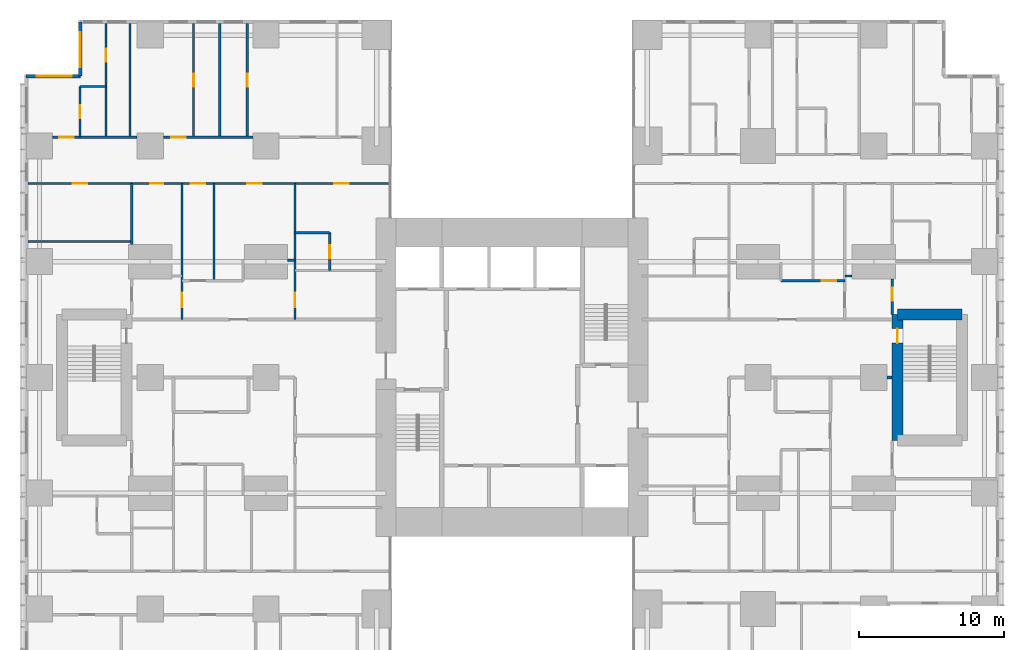
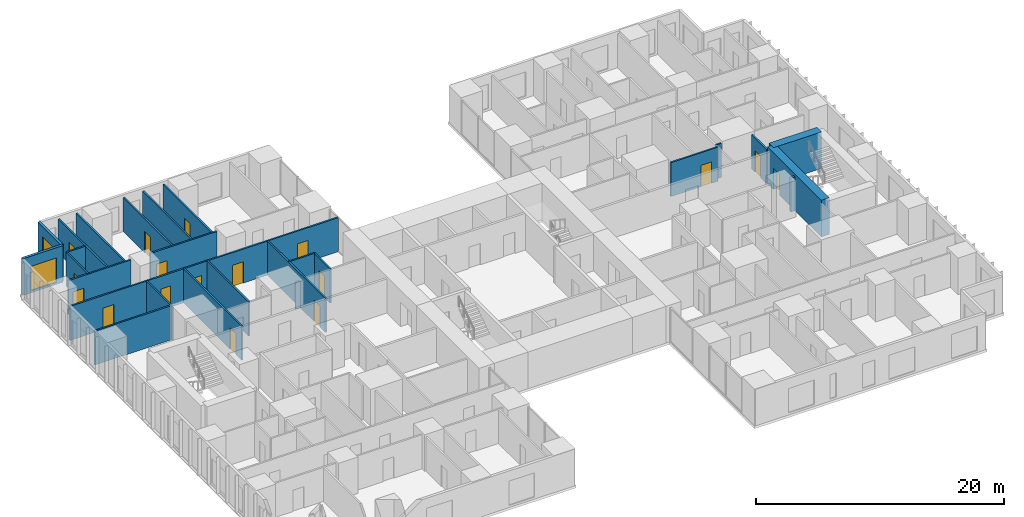
# One storey, part 16 of 20: 26 walls, 17 doors, 2 windows, 19 openings.
"""IFC4 building model written with IfcOpenShell, lengths in metres."""

from ifc_helpers import new_model, si_unit, direction, frame, frame_2d, origin, place, context, subcontext, project, spatial, rectangle, extrude, material, layer, layer_set, type_object, element, fill, save


model = new_model("IFC4")

# Units and contexts
model_context = context("Model", 3, precision=1e-05, world=origin(), true_north=direction((0.0, 1.0)))
body_context = subcontext(model_context, "Body", "Model", "MODEL_VIEW")
ifc_project = project(units=[si_unit("LENGTHUNIT", "METRE"), si_unit("AREAUNIT", "SQUARE_METRE"), si_unit("VOLUMEUNIT", "CUBIC_METRE"), si_unit("PLANEANGLEUNIT", "RADIAN"), si_unit("MASSUNIT", "GRAM", prefix="KILO")], contexts=[model_context])

# Site, building, storey
site_placement = place(None, origin())
site = spatial("IfcSite", under=ifc_project, at=site_placement, CompositionType="ELEMENT")
building_placement = place(site_placement, origin())
building = spatial("IfcBuilding", under=site, at=building_placement, Name="Cleftline Residences", CompositionType="ELEMENT")
storey_placement = place(building_placement, frame((0.0, 0.0, 193.0)))
storey = spatial("IfcBuildingStorey", under=building, at=storey_placement, Name="L50", CompositionType="ELEMENT", Elevation=193.0)

# Wall, opening, window
ifc_material_1 = material(Name="Rendered reinforced concrete blockwork", Category="masonry")
ifc_layer_1 = layer(ifc_material_1, 0.25)
ifc_layer_set_1 = layer_set([ifc_layer_1], Name="EXTERNAL WALL 250")
wall_type_1 = type_object("IfcWallType", Name="EXTERNAL WALL 250", PredefinedType="SOLIDWALL", material=ifc_layer_set_1)
wall_1_placement = place(storey_placement, frame((3.175048828125, 48.574951171875, 0.0), z_axis=(0.0, 0.0, 1.0), x_axis=(0.0, -1.0, 0.0)))
wall_1 = element("IfcWall", 1, at=wall_1_placement, inside=storey, type_object=wall_type_1, Name="External wall", PredefinedType="SOLIDWALL", context=body_context, shape_type="SweptSolid", body=[
    extrude(rectangle(XDim=3.75, YDim=0.25, at=frame_2d((1.875, 0.0))), origin(), (0.0, 0.0, 1.0), 3.60009765625),
])
opening_1_placement = place(wall_1_placement, frame((0.737548828125, 0.0, 0.199951171875)))
opening_1 = element("IfcOpeningElement", 2, at=opening_1_placement, cuts=wall_1, Name="Opening W9", PredefinedType="OPENING", context=body_context, shape_type="SweptSolid", body=[
    extrude(rectangle(XDim=2.39990234375, YDim=2.39990234375, at=frame_2d((1.199951171875, 1.199951171875))), frame((0.0, 0.135009765625, 0.0), z_axis=(0.0, -1.0, 0.0), x_axis=(1.0, 0.0, 0.0)), (0.0, 0.0, 1.0), 0.27001953125),
])
ifc_material_2 = material(Name="Aluminium frame, clear double glazing", Category="aluminium")
window_type = type_object("IfcWindowType", Name="WINDOW 2400X2400", PartitioningType="DOUBLE_PANEL_VERTICAL", PredefinedType="WINDOW", material=ifc_material_2)
window_1_placement = place(opening_1_placement, origin())
window_1 = element("IfcWindow", 3, at=window_1_placement, inside=storey, type_object=window_type, Name="Window", OverallHeight=2.39990234375, OverallWidth=2.39990234375, PartitioningType="SINGLE_PANEL", PredefinedType="WINDOW", context=body_context, shape_type="SweptSolid", body=[
    extrude(rectangle(XDim=2.39990234375, YDim=2.39990234375, at=frame_2d((1.199951171875, 1.199951171875))), frame((0.0, 0.030029296875, 0.0), z_axis=(0.0, -1.0, 0.0), x_axis=(1.0, 0.0, 0.0)), (0.0, 0.0, 1.0), 0.06005859375),
])
fill(opening_1, window_1)

wall_2_placement = place(storey_placement, frame((3.175048828125, 44.824951171875, 0.0), z_axis=(0.0, 0.0, 1.0), x_axis=(-1.0, 0.0, 0.0)))
wall_2 = element("IfcWall", 4, at=wall_2_placement, inside=storey, type_object=wall_type_1, Name="External wall", PredefinedType="SOLIDWALL", context=body_context, shape_type="SweptSolid", body=[
    extrude(rectangle(XDim=3.75, YDim=0.25, at=frame_2d((1.875, 0.0))), origin(), (0.0, 0.0, 1.0), 3.60009765625),
])
opening_2_placement = place(wall_2_placement, frame((0.612548828125, 0.0, 0.199951171875)))
opening_2 = element("IfcOpeningElement", 5, at=opening_2_placement, cuts=wall_2, Name="Opening W9", PredefinedType="OPENING", context=body_context, shape_type="SweptSolid", body=[
    extrude(rectangle(XDim=2.39990234375, YDim=2.39990234375, at=frame_2d((1.199951171875, 1.199951171875))), frame((0.0, 0.135009765625, 0.0), z_axis=(0.0, -1.0, 0.0), x_axis=(1.0, 0.0, 0.0)), (0.0, 0.0, 1.0), 0.27001953125),
])
window_2_placement = place(opening_2_placement, origin())
window_2 = element("IfcWindow", 6, at=window_2_placement, inside=storey, type_object=window_type, Name="Window", OverallHeight=2.39990234375, OverallWidth=2.39990234375, PartitioningType="SINGLE_PANEL", PredefinedType="WINDOW", context=body_context, shape_type="SweptSolid", body=[
    extrude(rectangle(XDim=2.39990234375, YDim=2.39990234375, at=frame_2d((1.199951171875, 1.199951171875))), frame((0.0, 0.030029296875, 0.0), z_axis=(0.0, -1.0, 0.0), x_axis=(1.0, 0.0, 0.0)), (0.0, 0.0, 1.0), 0.06005859375),
])
fill(opening_2, window_2)

# Wall
ifc_material_3 = material(Name="Concrete blockwork, fire rated", Category="masonry")
ifc_layer_2 = layer(ifc_material_3, 0.199951171875)
ifc_layer_set_2 = layer_set([ifc_layer_2], Name="FIRE WALL 200")
wall_type_2 = type_object("IfcWallType", Name="FIRE WALL 200", PredefinedType="PARTITIONING", material=ifc_layer_set_2)
wall_3_placement = place(storey_placement, frame((58.89990234375, 24.0, 0.0), z_axis=(0.0, 0.0, 1.0), x_axis=(1.0, 0.0, 0.0)))
element("IfcWall", 7, at=wall_3_placement, inside=storey, type_object=wall_type_2, Name="Fire separating wall", PredefinedType="PARTITIONING", context=body_context, shape_type="SweptSolid", body=[
    extrude(rectangle(XDim=0.375, YDim=0.199951171875, at=frame_2d((0.1875, 0.0))), origin(), (0.0, 0.0, 1.0), 3.35009765625),
])

# Wall, opening, door
ifc_material_4 = material(Name="Gypsum board on steel studs", Category="steel")
ifc_layer_3 = layer(ifc_material_4, 0.14990234375)
ifc_layer_set_3 = layer_set([ifc_layer_3], Name="PARTITION 150")
wall_type_3 = type_object("IfcWallType", Name="PARTITION 150", PredefinedType="PARTITIONING", material=ifc_layer_set_3)
wall_4_placement = place(storey_placement, frame((51.60009765625, 30.675048828125, 0.0), z_axis=(0.0, 0.0, 1.0), x_axis=(1.0, 0.0, 0.0)))
wall_4 = element("IfcWall", 8, at=wall_4_placement, inside=storey, type_object=wall_type_3, Name="Partition", PredefinedType="PARTITIONING", context=body_context, shape_type="SweptSolid", body=[
    extrude(rectangle(XDim=4.39990234375, YDim=0.14990234375, at=frame_2d((2.199951171875, 0.0))), origin(), (0.0, 0.0, 1.0), 3.35009765625),
])
opening_3_placement = place(wall_4_placement, frame((2.800048828125, 0.0, 0.0)))
opening_3 = element("IfcOpeningElement", 9, at=opening_3_placement, cuts=wall_4, Name="Opening D2", PredefinedType="OPENING", context=body_context, shape_type="SweptSolid", body=[
    extrude(rectangle(XDim=1.0, YDim=2.10009765625, at=frame_2d((0.5, 1.050048828125))), frame((0.0, 0.0849609375, 0.0), z_axis=(0.0, -1.0, 0.0), x_axis=(1.0, 0.0, 0.0)), (0.0, 0.0, 1.0), 0.169921875),
])
ifc_material_5 = material(Name="Timber veneer on solid core", Category="wood")
door_type_1 = type_object("IfcDoorType", Name="DOOR 1000X2100", OperationType="SINGLE_SWING_LEFT", PredefinedType="DOOR", material=ifc_material_5)
door_1_placement = place(opening_3_placement, origin())
door_1 = element("IfcDoor", 10, at=door_1_placement, inside=storey, type_object=door_type_1, Name="Door to residence passage", OperationType="SINGLE_SWING_LEFT", OverallHeight=2.10009765625, OverallWidth=1.0, PredefinedType="DOOR", context=body_context, shape_type="SweptSolid", body=[
    extrude(rectangle(XDim=1.0, YDim=2.10009765625, at=frame_2d((0.5, 1.050048828125))), frame((0.0, 0.02490234375, 0.0), z_axis=(0.0, -1.0, 0.0), x_axis=(1.0, 0.0, 0.0)), (0.0, 0.0, 1.0), 0.050048828125),
])
fill(opening_3, door_1)

# Walls
wall_5_placement = place(storey_placement, frame((56.0, 31.0, 0.0), z_axis=(0.0, 0.0, 1.0), x_axis=(1.0, 0.0, 0.0)))
element("IfcWall", 11, at=wall_5_placement, inside=storey, type_object=wall_type_3, Name="Partition", PredefinedType="PARTITIONING", context=body_context, shape_type="SweptSolid", body=[
    extrude(rectangle(XDim=0.5, YDim=0.14990234375, at=frame_2d((0.25, 0.0))), origin(), (0.0, 0.0, 1.0), 3.35009765625),
])
wall_6_placement = place(storey_placement, frame((17.5, 32.10009765625, 0.0), z_axis=(0.0, 0.0, 1.0), x_axis=(1.0, 0.0, 0.0)))
element("IfcWall", 12, at=wall_6_placement, inside=storey, type_object=wall_type_3, Name="Partition", PredefinedType="PARTITIONING", context=body_context, shape_type="SweptSolid", body=[
    extrude(rectangle(XDim=0.5, YDim=0.14990234375, at=frame_2d((0.25, 0.0))), origin(), (0.0, 0.0, 1.0), 2.634033203125),
])
wall_7_placement = place(storey_placement, frame((-0.449951171875, 33.39990234375, 0.0), z_axis=(0.0, 0.0, 1.0), x_axis=(1.0, 0.0, 0.0)))
element("IfcWall", 13, at=wall_7_placement, inside=storey, type_object=wall_type_3, Name="Partition", PredefinedType="PARTITIONING", context=body_context, shape_type="SweptSolid", body=[
    extrude(rectangle(XDim=7.175048828125, YDim=0.14990234375, at=frame_2d((3.58740234375, 0.0))), origin(), (0.0, 0.0, 1.0), 3.35009765625),
])
wall_8_placement = place(storey_placement, frame((18.0, 34.0, 0.0), z_axis=(0.0, 0.0, 1.0), x_axis=(1.0, 0.0, 0.0)))
element("IfcWall", 14, at=wall_8_placement, inside=storey, type_object=wall_type_3, Name="Partition", PredefinedType="PARTITIONING", context=body_context, shape_type="SweptSolid", body=[
    extrude(rectangle(XDim=2.39990234375, YDim=0.14990234375, at=frame_2d((1.199951171875, 0.0))), origin(), (0.0, 0.0, 1.0), 3.35009765625),
])

# Wall, openings, doors
wall_9_placement = place(storey_placement, frame((-0.449951171875, 37.39990234375, 0.0), z_axis=(0.0, 0.0, 1.0), x_axis=(1.0, 0.0, 0.0)))
wall_9 = element("IfcWall", 15, at=wall_9_placement, inside=storey, type_object=wall_type_3, Name="Partition", PredefinedType="PARTITIONING", context=body_context, shape_type="SweptSolid", body=[
    extrude(rectangle(XDim=25.010986328125, YDim=0.14990234375, at=frame_2d((12.50537109375, 0.0))), origin(), (0.0, 0.0, 1.0), 3.35009765625),
])
opening_4_placement = place(wall_9_placement, frame((11.25, 0.0, 0.0)))
opening_4 = element("IfcOpeningElement", 16, at=opening_4_placement, cuts=wall_9, Name="Opening D2", PredefinedType="OPENING", context=body_context, shape_type="SweptSolid", body=[
    extrude(rectangle(XDim=1.0, YDim=2.10009765625, at=frame_2d((0.5, 1.050048828125))), frame((0.0, 0.0849609375, 0.0), z_axis=(0.0, -1.0, 0.0), x_axis=(1.0, 0.0, 0.0)), (0.0, 0.0, 1.0), 0.169921875),
])
opening_5_placement = place(wall_9_placement, frame((3.08740234375, 0.0, 0.0)))
opening_5 = element("IfcOpeningElement", 17, at=opening_5_placement, cuts=wall_9, Name="Opening D2", PredefinedType="OPENING", context=body_context, shape_type="SweptSolid", body=[
    extrude(rectangle(XDim=1.0, YDim=2.10009765625, at=frame_2d((0.5, 1.050048828125))), frame((0.0, 0.0849609375, 0.0), z_axis=(0.0, -1.0, 0.0), x_axis=(1.0, 0.0, 0.0)), (0.0, 0.0, 1.0), 0.169921875),
])
opening_6_placement = place(wall_9_placement, frame((8.46240234375, 0.0, 0.0)))
opening_6 = element("IfcOpeningElement", 18, at=opening_6_placement, cuts=wall_9, Name="Opening D1", PredefinedType="OPENING", context=body_context, shape_type="SweptSolid", body=[
    extrude(rectangle(XDim=0.89990234375, YDim=2.10009765625, at=frame_2d((0.449951171875, 1.050048828125))), frame((0.0, 0.0849609375, 0.0), z_axis=(0.0, -1.0, 0.0), x_axis=(1.0, 0.0, 0.0)), (0.0, 0.0, 1.0), 0.169921875),
])
opening_7_placement = place(wall_9_placement, frame((15.14990234375, 0.0, 0.0)))
opening_7 = element("IfcOpeningElement", 19, at=opening_7_placement, cuts=wall_9, Name="Opening D2", PredefinedType="OPENING", context=body_context, shape_type="SweptSolid", body=[
    extrude(rectangle(XDim=1.0, YDim=2.10009765625, at=frame_2d((0.5, 1.050048828125))), frame((0.0, 0.0849609375, 0.0), z_axis=(0.0, -1.0, 0.0), x_axis=(1.0, 0.0, 0.0)), (0.0, 0.0, 1.0), 0.169921875),
])
opening_8_placement = place(wall_9_placement, frame((21.175048828125, 0.0, 0.0)))
opening_8 = element("IfcOpeningElement", 20, at=opening_8_placement, cuts=wall_9, Name="Opening D2", PredefinedType="OPENING", context=body_context, shape_type="SweptSolid", body=[
    extrude(rectangle(XDim=1.0, YDim=2.10009765625, at=frame_2d((0.5, 1.050048828125))), frame((0.0, 0.0849609375, 0.0), z_axis=(0.0, -1.0, 0.0), x_axis=(1.0, 0.0, 0.0)), (0.0, 0.0, 1.0), 0.169921875),
])
door_2_placement = place(opening_4_placement, origin())
door_2 = element("IfcDoor", 21, at=door_2_placement, inside=storey, type_object=door_type_1, Name="Door to residence hall", OperationType="SINGLE_SWING_RIGHT", OverallHeight=2.10009765625, OverallWidth=1.0, PredefinedType="DOOR", context=body_context, shape_type="SweptSolid", body=[
    extrude(rectangle(XDim=1.0, YDim=2.10009765625, at=frame_2d((0.5, 1.050048828125))), frame((0.0, 0.02490234375, 0.0), z_axis=(0.0, -1.0, 0.0), x_axis=(1.0, 0.0, 0.0)), (0.0, 0.0, 1.0), 0.050048828125),
])
fill(opening_4, door_2)
door_3_placement = place(opening_5_placement, origin())
door_3 = element("IfcDoor", 22, at=door_3_placement, inside=storey, type_object=door_type_1, Name="Door to study", OperationType="SINGLE_SWING_RIGHT", OverallHeight=2.10009765625, OverallWidth=1.0, PredefinedType="DOOR", context=body_context, shape_type="SweptSolid", body=[
    extrude(rectangle(XDim=1.0, YDim=2.10009765625, at=frame_2d((0.5, 1.050048828125))), frame((0.0, 0.02490234375, 0.0), z_axis=(0.0, -1.0, 0.0), x_axis=(1.0, 0.0, 0.0)), (0.0, 0.0, 1.0), 0.050048828125),
])
fill(opening_5, door_3)
door_4_placement = place(opening_7_placement, origin())
door_4 = element("IfcDoor", 23, at=door_4_placement, inside=storey, type_object=door_type_1, Name="Door to media room", OperationType="SINGLE_SWING_LEFT", OverallHeight=2.10009765625, OverallWidth=1.0, PredefinedType="DOOR", context=body_context, shape_type="SweptSolid", body=[
    extrude(rectangle(XDim=1.0, YDim=2.10009765625, at=frame_2d((0.5, 1.050048828125))), frame((0.0, 0.02490234375, 0.0), z_axis=(0.0, -1.0, 0.0), x_axis=(1.0, 0.0, 0.0)), (0.0, 0.0, 1.0), 0.050048828125),
])
fill(opening_7, door_4)
door_5_placement = place(opening_8_placement, origin())
door_5 = element("IfcDoor", 24, at=door_5_placement, inside=storey, type_object=door_type_1, Name="Door to bedroom 4", OperationType="SINGLE_SWING_LEFT", OverallHeight=2.10009765625, OverallWidth=1.0, PredefinedType="DOOR", context=body_context, shape_type="SweptSolid", body=[
    extrude(rectangle(XDim=1.0, YDim=2.10009765625, at=frame_2d((0.5, 1.050048828125))), frame((0.0, 0.02490234375, 0.0), z_axis=(0.0, -1.0, 0.0), x_axis=(1.0, 0.0, 0.0)), (0.0, 0.0, 1.0), 0.050048828125),
])
fill(opening_8, door_5)
ifc_material_6 = material(Name="Timber veneer on solid core", Category="wood")
door_type_2 = type_object("IfcDoorType", Name="DOOR 900X2100", OperationType="SINGLE_SWING_LEFT", PredefinedType="DOOR", material=ifc_material_6)
door_6_placement = place(opening_6_placement, origin())
door_6 = element("IfcDoor", 25, at=door_6_placement, inside=storey, type_object=door_type_2, Name="Door to guest bathroom", OperationType="SINGLE_SWING_RIGHT", OverallHeight=2.10009765625, OverallWidth=0.89990234375, PredefinedType="DOOR", context=body_context, shape_type="SweptSolid", body=[
    extrude(rectangle(XDim=0.89990234375, YDim=2.10009765625, at=frame_2d((0.449951171875, 1.050048828125))), frame((0.0, 0.02490234375, 0.0), z_axis=(0.0, -1.0, 0.0), x_axis=(1.0, 0.0, 0.0)), (0.0, 0.0, 1.0), 0.050048828125),
])
fill(opening_6, door_6)

# Wall, opening, door
wall_10_placement = place(storey_placement, frame((1.25, 40.60009765625, 0.0), z_axis=(0.0, 0.0, 1.0), x_axis=(1.0, 0.0, 0.0)))
wall_10 = element("IfcWall", 26, at=wall_10_placement, inside=storey, type_object=wall_type_3, Name="Partition", PredefinedType="PARTITIONING", context=body_context, shape_type="SweptSolid", body=[
    extrude(rectangle(XDim=5.85009765625, YDim=0.14990234375, at=frame_2d((2.925048828125, 0.0))), origin(), (0.0, 0.0, 1.0), 3.35009765625),
])
opening_9_placement = place(wall_10_placement, frame((0.449951171875, 0.0, 0.0)))
opening_9 = element("IfcOpeningElement", 27, at=opening_9_placement, cuts=wall_10, Name="Opening D2", PredefinedType="OPENING", context=body_context, shape_type="SweptSolid", body=[
    extrude(rectangle(XDim=1.0, YDim=2.10009765625, at=frame_2d((0.5, 1.050048828125))), frame((0.0, 0.0849609375, 0.0), z_axis=(0.0, -1.0, 0.0), x_axis=(1.0, 0.0, 0.0)), (0.0, 0.0, 1.0), 0.169921875),
])
door_7_placement = place(opening_9_placement, origin())
door_7 = element("IfcDoor", 28, at=door_7_placement, inside=storey, type_object=door_type_1, Name="Door to bedroom 2", OperationType="SINGLE_SWING_RIGHT", OverallHeight=2.10009765625, OverallWidth=1.0, PredefinedType="DOOR", context=body_context, shape_type="SweptSolid", body=[
    extrude(rectangle(XDim=1.0, YDim=2.10009765625, at=frame_2d((0.5, 1.050048828125))), frame((0.0, 0.02490234375, 0.0), z_axis=(0.0, -1.0, 0.0), x_axis=(1.0, 0.0, 0.0)), (0.0, 0.0, 1.0), 0.050048828125),
])
fill(opening_9, door_7)

wall_11_placement = place(storey_placement, frame((8.89990234375, 40.60009765625, 0.0), z_axis=(0.0, 0.0, 1.0), x_axis=(1.0, 0.0, 0.0)))
wall_11 = element("IfcWall", 29, at=wall_11_placement, inside=storey, type_object=wall_type_3, Name="Partition", PredefinedType="PARTITIONING", context=body_context, shape_type="SweptSolid", body=[
    extrude(rectangle(XDim=6.2001953125, YDim=0.14990234375, at=frame_2d((3.10009765625, 0.0))), origin(), (0.0, 0.0, 1.0), 3.35009765625),
])
opening_10_placement = place(wall_11_placement, frame((0.550048828125, 0.0, 0.0)))
opening_10 = element("IfcOpeningElement", 30, at=opening_10_placement, cuts=wall_11, Name="Opening D2", PredefinedType="OPENING", context=body_context, shape_type="SweptSolid", body=[
    extrude(rectangle(XDim=1.0, YDim=2.10009765625, at=frame_2d((0.5, 1.050048828125))), frame((0.0, 0.0849609375, 0.0), z_axis=(0.0, -1.0, 0.0), x_axis=(1.0, 0.0, 0.0)), (0.0, 0.0, 1.0), 0.169921875),
])
door_8_placement = place(opening_10_placement, origin())
door_8 = element("IfcDoor", 31, at=door_8_placement, inside=storey, type_object=door_type_1, Name="Door to bedroom 3", OperationType="SINGLE_SWING_RIGHT", OverallHeight=2.10009765625, OverallWidth=1.0, PredefinedType="DOOR", context=body_context, shape_type="SweptSolid", body=[
    extrude(rectangle(XDim=1.0, YDim=2.10009765625, at=frame_2d((0.5, 1.050048828125))), frame((0.0, 0.02490234375, 0.0), z_axis=(0.0, -1.0, 0.0), x_axis=(1.0, 0.0, 0.0)), (0.0, 0.0, 1.0), 0.050048828125),
])
fill(opening_10, door_8)

# Wall
wall_12_placement = place(storey_placement, frame((3.14990234375, 44.10009765625, 0.0), z_axis=(0.0, 0.0, 1.0), x_axis=(1.0, 0.0, 0.0)))
element("IfcWall", 32, at=wall_12_placement, inside=storey, type_object=wall_type_3, Name="Partition", PredefinedType="PARTITIONING", context=body_context, shape_type="SweptSolid", body=[
    extrude(rectangle(XDim=1.800048828125, YDim=0.14990234375, at=frame_2d((0.89990234375, 0.0))), origin(), (0.0, 0.0, 1.0), 3.35009765625),
])

# Wall, opening, door
wall_13_placement = place(storey_placement, frame((3.14990234375, 40.60009765625, 0.0), z_axis=(0.0, 0.0, 1.0), x_axis=(0.0, 1.0, 0.0)))
wall_13 = element("IfcWall", 33, at=wall_13_placement, inside=storey, type_object=wall_type_3, Name="Partition", PredefinedType="PARTITIONING", context=body_context, shape_type="SweptSolid", body=[
    extrude(rectangle(XDim=3.5, YDim=0.14990234375, at=frame_2d((1.75, 0.0))), origin(), (0.0, 0.0, 1.0), 3.35009765625),
])
opening_11_placement = place(wall_13_placement, frame((1.300048828125, 0.0, 0.0)))
opening_11 = element("IfcOpeningElement", 34, at=opening_11_placement, cuts=wall_13, Name="Opening D1", PredefinedType="OPENING", context=body_context, shape_type="SweptSolid", body=[
    extrude(rectangle(XDim=0.89990234375, YDim=2.10009765625, at=frame_2d((0.449951171875, 1.050048828125))), frame((0.0, 0.0849609375, 0.0), z_axis=(0.0, -1.0, 0.0), x_axis=(1.0, 0.0, 0.0)), (0.0, 0.0, 1.0), 0.169921875),
])
door_9_placement = place(opening_11_placement, origin())
door_9 = element("IfcDoor", 35, at=door_9_placement, inside=storey, type_object=door_type_2, Name="Door to en-suite bathroom 2", OperationType="SINGLE_SWING_LEFT", OverallHeight=2.10009765625, OverallWidth=0.89990234375, PredefinedType="DOOR", context=body_context, shape_type="SweptSolid", body=[
    extrude(rectangle(XDim=0.89990234375, YDim=2.10009765625, at=frame_2d((0.449951171875, 1.050048828125))), frame((0.0, 0.02490234375, 0.0), z_axis=(0.0, -1.0, 0.0), x_axis=(1.0, 0.0, 0.0)), (0.0, 0.0, 1.0), 0.050048828125),
])
fill(opening_11, door_9)

wall_14_placement = place(storey_placement, frame((4.949951171875, 40.60009765625, 0.0), z_axis=(0.0, 0.0, 1.0), x_axis=(0.0, 1.0, 0.0)))
wall_14 = element("IfcWall", 36, at=wall_14_placement, inside=storey, type_object=wall_type_3, Name="Partition", PredefinedType="PARTITIONING", context=body_context, shape_type="SweptSolid", body=[
    extrude(rectangle(XDim=7.849853515625, YDim=0.14990234375, at=frame_2d((3.9248046875, 0.0))), origin(), (0.0, 0.0, 1.0), 3.35009765625),
])
opening_12_placement = place(wall_14_placement, frame((5.22509765625, 0.0, 0.0)))
opening_12 = element("IfcOpeningElement", 37, at=opening_12_placement, cuts=wall_14, Name="Opening D1", PredefinedType="OPENING", context=body_context, shape_type="SweptSolid", body=[
    extrude(rectangle(XDim=0.89990234375, YDim=2.10009765625, at=frame_2d((0.449951171875, 1.050048828125))), frame((0.0, 0.0849609375, 0.0), z_axis=(0.0, -1.0, 0.0), x_axis=(1.0, 0.0, 0.0)), (0.0, 0.0, 1.0), 0.169921875),
])
door_10_placement = place(opening_12_placement, origin())
door_10 = element("IfcDoor", 38, at=door_10_placement, inside=storey, type_object=door_type_2, Name="Door to walk-in wardrobe", OperationType="SINGLE_SWING_LEFT", OverallHeight=2.10009765625, OverallWidth=0.89990234375, PredefinedType="DOOR", context=body_context, shape_type="SweptSolid", body=[
    extrude(rectangle(XDim=0.89990234375, YDim=2.10009765625, at=frame_2d((0.449951171875, 1.050048828125))), frame((0.0, 0.02490234375, 0.0), z_axis=(0.0, -1.0, 0.0), x_axis=(1.0, 0.0, 0.0)), (0.0, 0.0, 1.0), 0.050048828125),
])
fill(opening_12, door_10)

# Walls
wall_15_placement = place(storey_placement, frame((6.60009765625, 40.60009765625, 0.0), z_axis=(0.0, 0.0, 1.0), x_axis=(0.0, 1.0, 0.0)))
element("IfcWall", 39, at=wall_15_placement, inside=storey, type_object=wall_type_3, Name="Partition", PredefinedType="PARTITIONING", context=body_context, shape_type="SweptSolid", body=[
    extrude(rectangle(XDim=7.849853515625, YDim=0.14990234375, at=frame_2d((3.9248046875, 0.0))), origin(), (0.0, 0.0, 1.0), 3.35009765625),
])
wall_16_placement = place(storey_placement, frame((6.72509765625, 33.199951171875, 0.0), z_axis=(0.0, 0.0, 1.0), x_axis=(0.0, 1.0, 0.0)))
element("IfcWall", 40, at=wall_16_placement, inside=storey, type_object=wall_type_3, Name="Partition", PredefinedType="PARTITIONING", context=body_context, shape_type="SweptSolid", body=[
    extrude(rectangle(XDim=4.199951171875, YDim=0.14990234375, at=frame_2d((2.10009765625, 0.0))), origin(), (0.0, 0.0, 1.0), 3.35009765625),
])

# Wall, opening, door
wall_17_placement = place(storey_placement, frame((10.199951171875, 28.0, 0.0), z_axis=(0.0, 0.0, 1.0), x_axis=(0.0, 1.0, 0.0)))
wall_17 = element("IfcWall", 41, at=wall_17_placement, inside=storey, type_object=wall_type_3, Name="Partition", PredefinedType="PARTITIONING", context=body_context, shape_type="SweptSolid", body=[
    extrude(rectangle(XDim=9.39990234375, YDim=0.14990234375, at=frame_2d((4.699951171875, 0.0))), origin(), (0.0, 0.0, 1.0), 3.35009765625),
])
opening_13_placement = place(wall_17_placement, frame((0.83740234375, 0.0, 0.0)))
opening_13 = element("IfcOpeningElement", 42, at=opening_13_placement, cuts=wall_17, Name="Opening D2F30", PredefinedType="OPENING", context=body_context, shape_type="SweptSolid", body=[
    extrude(rectangle(XDim=1.0, YDim=2.10009765625, at=frame_2d((0.5, 1.050048828125))), frame((0.0, 0.0849609375, 0.0), z_axis=(0.0, -1.0, 0.0), x_axis=(1.0, 0.0, 0.0)), (0.0, 0.0, 1.0), 0.169921875),
])
ifc_material_7 = material(Name="Timber veneer on solid core", Category="wood")
door_type_3 = type_object("IfcDoorType", Name="DOOR 1000X2100 EI 30", OperationType="SINGLE_SWING_LEFT", PredefinedType="DOOR", material=ifc_material_7)
door_11_placement = place(opening_13_placement, origin())
door_11 = element("IfcDoor", 43, at=door_11_placement, inside=storey, type_object=door_type_3, Name="Door to residence lobby (service)", OperationType="SINGLE_SWING_RIGHT", OverallHeight=2.10009765625, OverallWidth=1.0, PredefinedType="DOOR", context=body_context, shape_type="SweptSolid", body=[
    extrude(rectangle(XDim=1.0, YDim=2.10009765625, at=frame_2d((0.5, 1.050048828125))), frame((0.0, 0.02490234375, 0.0), z_axis=(0.0, -1.0, 0.0), x_axis=(1.0, 0.0, 0.0)), (0.0, 0.0, 1.0), 0.050048828125),
])
fill(opening_13, door_11)

wall_18_placement = place(storey_placement, frame((11.0, 40.60009765625, 0.0), z_axis=(0.0, 0.0, 1.0), x_axis=(0.0, 1.0, 0.0)))
wall_18 = element("IfcWall", 44, at=wall_18_placement, inside=storey, type_object=wall_type_3, Name="Partition", PredefinedType="PARTITIONING", context=body_context, shape_type="SweptSolid", body=[
    extrude(rectangle(XDim=7.849853515625, YDim=0.14990234375, at=frame_2d((3.9248046875, 0.0))), origin(), (0.0, 0.0, 1.0), 3.35009765625),
])
opening_14_placement = place(wall_18_placement, frame((3.47509765625, 0.0, 0.0)))
opening_14 = element("IfcOpeningElement", 45, at=opening_14_placement, cuts=wall_18, Name="Opening D1", PredefinedType="OPENING", context=body_context, shape_type="SweptSolid", body=[
    extrude(rectangle(XDim=0.89990234375, YDim=2.10009765625, at=frame_2d((0.449951171875, 1.050048828125))), frame((0.0, 0.0849609375, 0.0), z_axis=(0.0, -1.0, 0.0), x_axis=(1.0, 0.0, 0.0)), (0.0, 0.0, 1.0), 0.169921875),
])
door_12_placement = place(opening_14_placement, origin())
door_12 = element("IfcDoor", 46, at=door_12_placement, inside=storey, type_object=door_type_2, Name="Door to en-suite bathroom 3", OperationType="SINGLE_SWING_LEFT", OverallHeight=2.10009765625, OverallWidth=0.89990234375, PredefinedType="DOOR", context=body_context, shape_type="SweptSolid", body=[
    extrude(rectangle(XDim=0.89990234375, YDim=2.10009765625, at=frame_2d((0.449951171875, 1.050048828125))), frame((0.0, 0.02490234375, 0.0), z_axis=(0.0, -1.0, 0.0), x_axis=(1.0, 0.0, 0.0)), (0.0, 0.0, 1.0), 0.050048828125),
])
fill(opening_14, door_12)

# Walls
wall_19_placement = place(storey_placement, frame((12.39990234375, 30.675048828125, 0.0), z_axis=(0.0, 0.0, 1.0), x_axis=(0.0, 1.0, 0.0)))
element("IfcWall", 47, at=wall_19_placement, inside=storey, type_object=wall_type_3, Name="Partition", PredefinedType="PARTITIONING", context=body_context, shape_type="SweptSolid", body=[
    extrude(rectangle(XDim=6.724853515625, YDim=0.14990234375, at=frame_2d((3.3623046875, 0.0))), origin(), (0.0, 0.0, 1.0), 3.35009765625),
])
wall_20_placement = place(storey_placement, frame((12.800048828125, 40.60009765625, 0.0), z_axis=(0.0, 0.0, 1.0), x_axis=(0.0, 1.0, 0.0)))
element("IfcWall", 48, at=wall_20_placement, inside=storey, type_object=wall_type_3, Name="Partition", PredefinedType="PARTITIONING", context=body_context, shape_type="SweptSolid", body=[
    extrude(rectangle(XDim=7.849853515625, YDim=0.14990234375, at=frame_2d((3.9248046875, 0.0))), origin(), (0.0, 0.0, 1.0), 3.35009765625),
])

# Wall, opening, door
wall_21_placement = place(storey_placement, frame((14.699951171875, 40.60009765625, 0.0), z_axis=(0.0, 0.0, 1.0), x_axis=(0.0, 1.0, 0.0)))
wall_21 = element("IfcWall", 49, at=wall_21_placement, inside=storey, type_object=wall_type_3, Name="Partition", PredefinedType="PARTITIONING", context=body_context, shape_type="SweptSolid", body=[
    extrude(rectangle(XDim=7.849853515625, YDim=0.14990234375, at=frame_2d((3.9248046875, 0.0))), origin(), (0.0, 0.0, 1.0), 3.35009765625),
])
opening_15_placement = place(wall_21_placement, frame((3.47509765625, 0.0, 0.0)))
opening_15 = element("IfcOpeningElement", 50, at=opening_15_placement, cuts=wall_21, Name="Opening D1", PredefinedType="OPENING", context=body_context, shape_type="SweptSolid", body=[
    extrude(rectangle(XDim=0.89990234375, YDim=2.10009765625, at=frame_2d((0.449951171875, 1.050048828125))), frame((0.0, 0.0849609375, 0.0), z_axis=(0.0, -1.0, 0.0), x_axis=(1.0, 0.0, 0.0)), (0.0, 0.0, 1.0), 0.169921875),
])
door_13_placement = place(opening_15_placement, origin())
door_13 = element("IfcDoor", 51, at=door_13_placement, inside=storey, type_object=door_type_2, Name="Door to master bathroom", OperationType="SINGLE_SWING_LEFT", OverallHeight=2.10009765625, OverallWidth=0.89990234375, PredefinedType="DOOR", context=body_context, shape_type="SweptSolid", body=[
    extrude(rectangle(XDim=0.89990234375, YDim=2.10009765625, at=frame_2d((0.449951171875, 1.050048828125))), frame((0.0, 0.02490234375, 0.0), z_axis=(0.0, -1.0, 0.0), x_axis=(1.0, 0.0, 0.0)), (0.0, 0.0, 1.0), 0.050048828125),
])
fill(opening_15, door_13)

wall_22_placement = place(storey_placement, frame((18.0, 28.0, 0.0), z_axis=(0.0, 0.0, 1.0), x_axis=(0.0, 1.0, 0.0)))
wall_22 = element("IfcWall", 52, at=wall_22_placement, inside=storey, type_object=wall_type_3, Name="Partition", PredefinedType="PARTITIONING", context=body_context, shape_type="SweptSolid", body=[
    extrude(rectangle(XDim=9.39990234375, YDim=0.14990234375, at=frame_2d((4.699951171875, 0.0))), origin(), (0.0, 0.0, 1.0), 3.35009765625),
])
opening_16_placement = place(wall_22_placement, frame((0.83740234375, 0.0, 0.0)))
opening_16 = element("IfcOpeningElement", 53, at=opening_16_placement, cuts=wall_22, Name="Opening D2", PredefinedType="OPENING", context=body_context, shape_type="SweptSolid", body=[
    extrude(rectangle(XDim=1.0, YDim=2.10009765625, at=frame_2d((0.5, 1.050048828125))), frame((0.0, 0.0849609375, 0.0), z_axis=(0.0, -1.0, 0.0), x_axis=(1.0, 0.0, 0.0)), (0.0, 0.0, 1.0), 0.169921875),
])
door_14_placement = place(opening_16_placement, origin())
door_14 = element("IfcDoor", 54, at=door_14_placement, inside=storey, type_object=door_type_1, Name="Door to morning kitchen", OperationType="SINGLE_SWING_RIGHT", OverallHeight=2.10009765625, OverallWidth=1.0, PredefinedType="DOOR", context=body_context, shape_type="SweptSolid", body=[
    extrude(rectangle(XDim=1.0, YDim=2.10009765625, at=frame_2d((0.5, 1.050048828125))), frame((0.0, 0.02490234375, 0.0), z_axis=(0.0, -1.0, 0.0), x_axis=(1.0, 0.0, 0.0)), (0.0, 0.0, 1.0), 0.050048828125),
])
fill(opening_16, door_14)

wall_23_placement = place(storey_placement, frame((20.39990234375, 31.39990234375, 0.0), z_axis=(0.0, 0.0, 1.0), x_axis=(0.0, 1.0, 0.0)))
wall_23 = element("IfcWall", 55, at=wall_23_placement, inside=storey, type_object=wall_type_3, Name="Partition", PredefinedType="PARTITIONING", context=body_context, shape_type="SweptSolid", body=[
    extrude(rectangle(XDim=2.60009765625, YDim=0.14990234375, at=frame_2d((1.300048828125, 0.0))), origin(), (0.0, 0.0, 1.0), 3.35009765625),
])
opening_17_placement = place(wall_23_placement, frame((0.85009765625, 0.0, 0.0)))
opening_17 = element("IfcOpeningElement", 56, at=opening_17_placement, cuts=wall_23, Name="Opening D1", PredefinedType="OPENING", context=body_context, shape_type="SweptSolid", body=[
    extrude(rectangle(XDim=0.89990234375, YDim=2.10009765625, at=frame_2d((0.449951171875, 1.050048828125))), frame((0.0, 0.0849609375, 0.0), z_axis=(0.0, -1.0, 0.0), x_axis=(1.0, 0.0, 0.0)), (0.0, 0.0, 1.0), 0.169921875),
])
door_15_placement = place(opening_17_placement, origin())
door_15 = element("IfcDoor", 57, at=door_15_placement, inside=storey, type_object=door_type_2, Name="Door to en-suite bathroom 4", OperationType="SINGLE_SWING_LEFT", OverallHeight=2.10009765625, OverallWidth=0.89990234375, PredefinedType="DOOR", context=body_context, shape_type="SweptSolid", body=[
    extrude(rectangle(XDim=0.89990234375, YDim=2.10009765625, at=frame_2d((0.449951171875, 1.050048828125))), frame((0.0, 0.02490234375, 0.0), z_axis=(0.0, -1.0, 0.0), x_axis=(1.0, 0.0, 0.0)), (0.0, 0.0, 1.0), 0.050048828125),
])
fill(opening_17, door_15)

wall_24_placement = place(storey_placement, frame((59.27490234375, 28.35009765625, 0.0), z_axis=(0.0, 0.0, 1.0), x_axis=(0.0, 1.0, 0.0)))
wall_24 = element("IfcWall", 58, at=wall_24_placement, inside=storey, type_object=wall_type_3, Name="Partition", PredefinedType="PARTITIONING", context=body_context, shape_type="SweptSolid", body=[
    extrude(rectangle(XDim=2.449951171875, YDim=0.14990234375, at=frame_2d((1.22509765625, 0.0))), origin(), (0.0, 0.0, 1.0), 3.35009765625),
])
opening_18_placement = place(wall_24_placement, frame((0.96240234375, 0.0, 0.0)))
opening_18 = element("IfcOpeningElement", 59, at=opening_18_placement, cuts=wall_24, Name="Opening D1", PredefinedType="OPENING", context=body_context, shape_type="SweptSolid", body=[
    extrude(rectangle(XDim=0.89990234375, YDim=2.10009765625, at=frame_2d((0.449951171875, 1.050048828125))), frame((0.0, 0.0849609375, 0.0), z_axis=(0.0, -1.0, 0.0), x_axis=(1.0, 0.0, 0.0)), (0.0, 0.0, 1.0), 0.169921875),
])
door_16_placement = place(opening_18_placement, origin())
door_16 = element("IfcDoor", 60, at=door_16_placement, inside=storey, type_object=door_type_2, Name="Door to master dressing room", OperationType="SINGLE_SWING_LEFT", OverallHeight=2.10009765625, OverallWidth=0.89990234375, PredefinedType="DOOR", context=body_context, shape_type="SweptSolid", body=[
    extrude(rectangle(XDim=0.89990234375, YDim=2.10009765625, at=frame_2d((0.449951171875, 1.050048828125))), frame((0.0, 0.02490234375, 0.0), z_axis=(0.0, -1.0, 0.0), x_axis=(1.0, 0.0, 0.0)), (0.0, 0.0, 1.0), 0.050048828125),
])
fill(opening_18, door_16)

# Wall
ifc_material_8 = material(Name="Concrete B70", Category="concrete")
ifc_layer_4 = layer(ifc_material_8, 0.75)
ifc_layer_set_4 = layer_set([ifc_layer_4], Name="SHEAR WALL 750")
wall_type_4 = type_object("IfcWallType", Name="SHEAR WALL 750", PredefinedType="SHEAR", material=ifc_layer_set_4)
wall_25_placement = place(storey_placement, frame((64.10009765625, 28.35009765625, 0.0), z_axis=(0.0, 0.0, 1.0), x_axis=(-1.0, 0.0, 0.0)))
element("IfcWall", 61, at=wall_25_placement, inside=storey, type_object=wall_type_4, Name="Wing shear wall", PredefinedType="SHEAR", context=body_context, shape_type="SweptSolid", body=[
    extrude(rectangle(XDim=4.4501953125, YDim=0.75, at=frame_2d((2.22509765625, 0.0))), origin(), (0.0, 0.0, 1.0), 3.60009765625),
])

# Wall, opening, door
wall_26_placement = place(storey_placement, frame((59.64990234375, 28.35009765625, 0.0), z_axis=(0.0, 0.0, 1.0), x_axis=(0.0, -1.0, 0.0)))
wall_26 = element("IfcWall", 62, at=wall_26_placement, inside=storey, type_object=wall_type_4, Name="Wing shear wall", PredefinedType="SHEAR", context=body_context, shape_type="SweptSolid", body=[
    extrude(rectangle(XDim=8.7001953125, YDim=0.75, at=frame_2d((4.35009765625, 0.0))), origin(), (0.0, 0.0, 1.0), 3.60009765625),
])
opening_19_placement = place(wall_26_placement, frame((0.97509765625, 0.0, 0.0)))
opening_19 = element("IfcOpeningElement", 63, at=opening_19_placement, cuts=wall_26, Name="Opening D5", PredefinedType="OPENING", context=body_context, shape_type="SweptSolid", body=[
    extrude(rectangle(XDim=1.0, YDim=2.10009765625, at=frame_2d((0.5, 1.050048828125))), frame((0.0, 0.385009765625, 0.0), z_axis=(0.0, -1.0, 0.0), x_axis=(1.0, 0.0, 0.0)), (0.0, 0.0, 1.0), 0.77001953125),
])
ifc_material_9 = material(Name="Steel", Category="steel")
door_type_4 = type_object("IfcDoorType", Name="STAIR DOOR 1000X2100", OperationType="SINGLE_SWING_LEFT", PredefinedType="DOOR", material=ifc_material_9)
door_17_placement = place(opening_19_placement, origin())
door_17 = element("IfcDoor", 64, at=door_17_placement, inside=storey, type_object=door_type_4, Name="Stair E door", OperationType="SINGLE_SWING_RIGHT", OverallHeight=2.10009765625, OverallWidth=1.0, PredefinedType="DOOR", context=body_context, shape_type="SweptSolid", body=[
    extrude(rectangle(XDim=1.0, YDim=2.10009765625, at=frame_2d((0.5, 1.050048828125))), frame((0.0, 0.02490234375, 0.0), z_axis=(0.0, -1.0, 0.0), x_axis=(1.0, 0.0, 0.0)), (0.0, 0.0, 1.0), 0.050048828125),
])
fill(opening_19, door_17)

save(model, "model.ifc")
